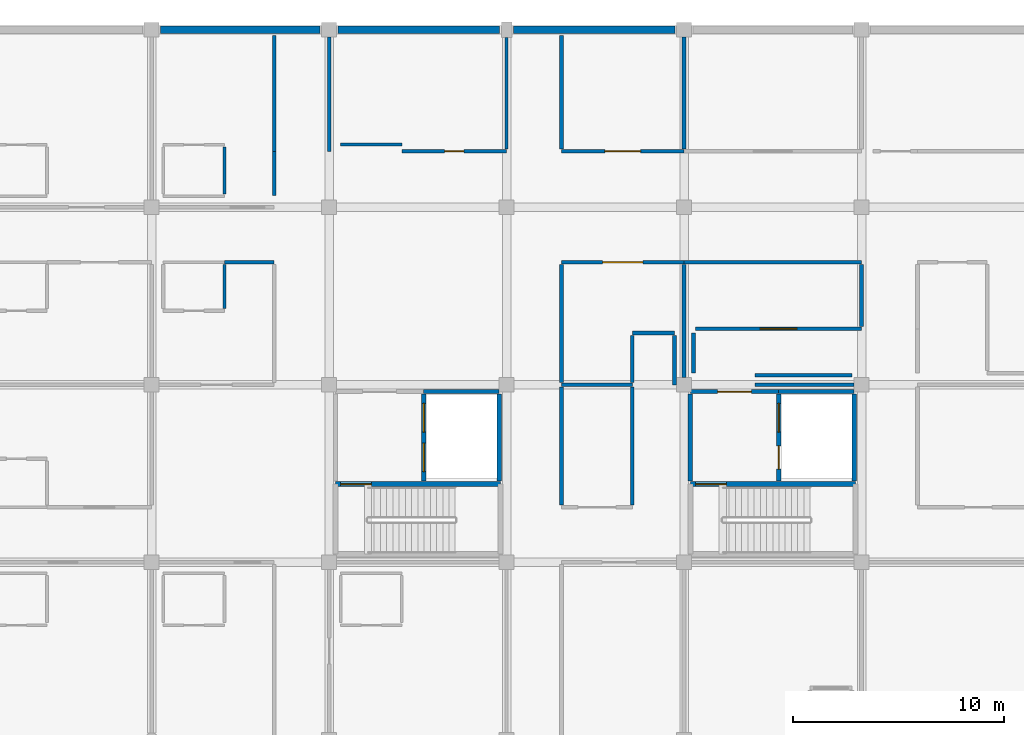
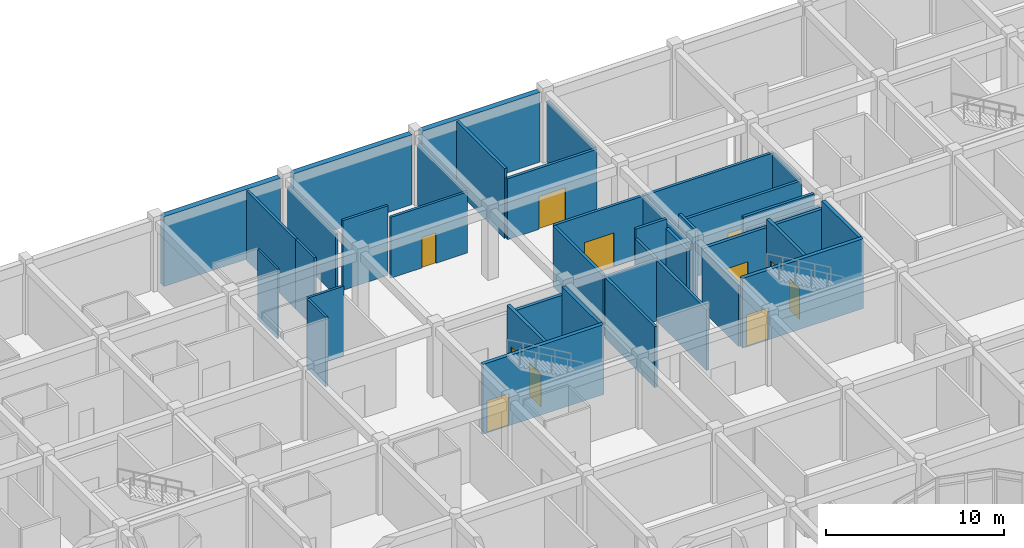
# One storey, part 106 of 134: 40 walls, 11 doors, 11 openings.
"""IFC4 building model written with IfcOpenShell, lengths in metres."""

from ifc_helpers import new_model, si_unit, direction, frame, frame_2d, origin, place, context, subcontext, project, spatial, rectangle, extrude, material, layer, layer_set, type_object, element, fill, save


model = new_model("IFC4")

# Units and contexts
model_context = context("Model", 3, precision=1e-05, world=origin(), true_north=direction((0.0, 1.0)))
body_context = subcontext(model_context, "Body", "Model", "MODEL_VIEW")
ifc_project = project(units=[si_unit("LENGTHUNIT", "METRE"), si_unit("AREAUNIT", "SQUARE_METRE"), si_unit("VOLUMEUNIT", "CUBIC_METRE"), si_unit("PLANEANGLEUNIT", "RADIAN"), si_unit("MASSUNIT", "GRAM", prefix="KILO")], contexts=[model_context])

# Site, building, storey
site_placement = place(None, origin())
site = spatial("IfcSite", under=ifc_project, at=site_placement, CompositionType="ELEMENT")
building_placement = place(site_placement, origin())
building = spatial("IfcBuilding", under=site, at=building_placement, Name="Bramfleet General Hospital", CompositionType="ELEMENT")
storey_placement = place(building_placement, frame((0.0, 0.0, 9.300048828125)))
storey = spatial("IfcBuildingStorey", under=building, at=storey_placement, Name="L02", CompositionType="ELEMENT", Elevation=9.300048828125)

# Walls
ifc_material_1 = material(Name="Concrete C35/45", Category="concrete")
ifc_layer_1 = layer(ifc_material_1, 0.360107421875, Name="WT-EW-02")
ifc_layer_set_1 = layer_set([ifc_layer_1], Name="Concrete C35/45")
wall_type_1 = type_object("IfcWallType", Name="WT-EW-02", PredefinedType="SOLIDWALL", material=ifc_layer_set_1)
wall_1_placement = place(storey_placement, frame((92.824951171875, 117.60009765625, 0.0), z_axis=(0.0, 0.0, 1.0), x_axis=(1.0, 0.0, 0.0)))
element("IfcWall", 1, at=wall_1_placement, inside=storey, type_object=wall_type_1, Name="L02 North REI 90-M Party Wall 208", PredefinedType="SOLIDWALL", context=body_context, shape_type="SweptSolid", body=[
    extrude(rectangle(XDim=7.550048828125, YDim=0.360107421875, at=frame_2d((3.77490234375, 0.0))), origin(), (0.0, 0.0, 1.0), 4.780029296875),
])
wall_2_placement = place(storey_placement, frame((101.22509765625, 117.60009765625, 0.0), z_axis=(0.0, 0.0, 1.0), x_axis=(1.0, 0.0, 0.0)))
element("IfcWall", 2, at=wall_2_placement, inside=storey, type_object=wall_type_1, Name="L02 North REI 90-M Party Wall 209", PredefinedType="SOLIDWALL", context=body_context, shape_type="SweptSolid", body=[
    extrude(rectangle(XDim=7.64990234375, YDim=0.360107421875, at=frame_2d((3.824951171875, 0.0))), origin(), (0.0, 0.0, 1.0), 4.780029296875),
])
wall_3_placement = place(storey_placement, frame((109.52490234375, 117.60009765625, 0.0), z_axis=(0.0, 0.0, 1.0), x_axis=(1.0, 0.0, 0.0)))
element("IfcWall", 3, at=wall_3_placement, inside=storey, type_object=wall_type_1, Name="L02 North REI 90-M Party Wall 210", PredefinedType="SOLIDWALL", context=body_context, shape_type="SweptSolid", body=[
    extrude(rectangle(XDim=7.650146484375, YDim=0.360107421875, at=frame_2d((3.8251953125, 0.0))), origin(), (0.0, 0.0, 1.0), 4.780029296875),
])

# Wall, openings, doors
ifc_layer_2 = layer(ifc_material_1, 0.205078125, Name="WT-IW-02")
ifc_layer_set_2 = layer_set([ifc_layer_2], Name="Concrete C35/45")
wall_type_2 = type_object("IfcWallType", Name="WT-IW-02", PredefinedType="PARTITIONING", material=ifc_layer_set_2)
wall_4_placement = place(storey_placement, frame((105.280029296875, 96.239990234375, 0.0), z_axis=(0.0, 0.0, 1.0), x_axis=(0.0, 1.0, 0.0)))
wall_4 = element("IfcWall", 4, at=wall_4_placement, inside=storey, type_object=wall_type_2, Name="L02 C4 Lobby East Shaft Wall", PredefinedType="PARTITIONING", context=body_context, shape_type="SweptSolid", body=[
    extrude(rectangle(XDim=4.1201171875, YDim=0.205078125, at=frame_2d((2.06005859375, 0.0))), origin(), (0.0, 0.0, 1.0), 4.77001953125),
])
opening_1_placement = place(wall_4_placement, frame((0.445068359375, 0.0, 0.0)))
opening_1 = element("IfcOpeningElement", 5, at=opening_1_placement, cuts=wall_4, Name="Opening LD-FL-02-L02", PredefinedType="OPENING", context=body_context, shape_type="SweptSolid", body=[
    extrude(rectangle(XDim=1.35009765625, YDim=2.199951171875, at=frame_2d((0.675048828125, 1.10009765625))), frame((0.0, 0.112548828125, 0.0), z_axis=(0.0, -1.0, 0.0), x_axis=(1.0, 0.0, 0.0)), (0.0, 0.0, 1.0), 0.22509765625),
])
opening_2_placement = place(wall_4_placement, frame((2.324951171875, 0.0, 0.0)))
opening_2 = element("IfcOpeningElement", 6, at=opening_2_placement, cuts=wall_4, Name="Opening LD-BL-04-L02", PredefinedType="OPENING", context=body_context, shape_type="SweptSolid", body=[
    extrude(rectangle(XDim=1.35009765625, YDim=2.199951171875, at=frame_2d((0.675048828125, 1.10009765625))), frame((0.0, 0.112548828125, 0.0), z_axis=(0.0, -1.0, 0.0), x_axis=(1.0, 0.0, 0.0)), (0.0, 0.0, 1.0), 0.22509765625),
])
ifc_material_2 = material(Name="Brushed stainless steel 1.4301", Category="steel")
door_type_1 = type_object("IfcDoorType", Name="DR-LD-01", OperationType="NOTDEFINED", PredefinedType="DOOR", material=ifc_material_2)
door_1_placement = place(opening_1_placement, origin())
door_1 = element("IfcDoor", 7, at=door_1_placement, inside=storey, type_object=door_type_1, Name="L02 Lift FL-02 Sliding Landing Door", OperationType="SLIDING_TO_LEFT", OverallHeight=2.199951171875, OverallWidth=1.35009765625, PredefinedType="DOOR", context=body_context, shape_type="SweptSolid", body=[
    extrude(rectangle(XDim=1.35009765625, YDim=2.199951171875, at=frame_2d((0.675048828125, 1.10009765625))), frame((0.0, 0.02490234375, 0.0), z_axis=(0.0, -1.0, 0.0), x_axis=(1.0, 0.0, 0.0)), (0.0, 0.0, 1.0), 0.050048828125),
])
fill(opening_1, door_1)
door_2_placement = place(opening_2_placement, origin())
door_2 = element("IfcDoor", 8, at=door_2_placement, inside=storey, type_object=door_type_1, Name="L02 Lift BL-04 Sliding Landing Door", OperationType="SLIDING_TO_LEFT", OverallHeight=2.199951171875, OverallWidth=1.35009765625, PredefinedType="DOOR", context=body_context, shape_type="SweptSolid", body=[
    extrude(rectangle(XDim=1.35009765625, YDim=2.199951171875, at=frame_2d((0.675048828125, 1.10009765625))), frame((0.0, 0.02490234375, 0.0), z_axis=(0.0, -1.0, 0.0), x_axis=(1.0, 0.0, 0.0)), (0.0, 0.0, 1.0), 0.050048828125),
])
fill(opening_2, door_2)

# Walls
wall_5_placement = place(storey_placement, frame((108.85009765625, 96.239990234375, 0.0), z_axis=(0.0, 0.0, 1.0), x_axis=(0.0, 1.0, 0.0)))
element("IfcWall", 9, at=wall_5_placement, inside=storey, type_object=wall_type_2, Name="L02 C4 Lift Shaft East Wall", PredefinedType="PARTITIONING", context=body_context, shape_type="SweptSolid", body=[
    extrude(rectangle(XDim=4.1201171875, YDim=0.205078125, at=frame_2d((2.06005859375, 0.0))), origin(), (0.0, 0.0, 1.0), 4.77001953125),
])
wall_6_placement = place(storey_placement, frame((105.280029296875, 100.47998046875, 0.0), z_axis=(0.0, 0.0, 1.0), x_axis=(1.0, 0.0, 0.0)))
element("IfcWall", 10, at=wall_6_placement, inside=storey, type_object=wall_type_2, Name="L02 C4 Lift Shaft North Wall", PredefinedType="PARTITIONING", context=body_context, shape_type="SweptSolid", body=[
    extrude(rectangle(XDim=3.570068359375, YDim=0.205078125, at=frame_2d((1.78515625, 0.0))), origin(), (0.0, 0.0, 1.0), 4.169921875),
])

# Wall, openings, doors
wall_7_placement = place(storey_placement, frame((122.080078125, 96.239990234375, 0.0), z_axis=(0.0, 0.0, 1.0), x_axis=(0.0, 1.0, 0.0)))
wall_7 = element("IfcWall", 11, at=wall_7_placement, inside=storey, type_object=wall_type_2, Name="L02 C6 Lobby East Shaft Wall", PredefinedType="PARTITIONING", context=body_context, shape_type="SweptSolid", body=[
    extrude(rectangle(XDim=4.1201171875, YDim=0.205078125, at=frame_2d((2.06005859375, 0.0))), origin(), (0.0, 0.0, 1.0), 4.77001953125),
])
opening_3_placement = place(wall_7_placement, frame((0.570068359375, 0.0, 0.0)))
opening_3 = element("IfcOpeningElement", 12, at=opening_3_placement, cuts=wall_7, Name="Opening LD-PL-04-L02", PredefinedType="OPENING", context=body_context, shape_type="SweptSolid", body=[
    extrude(rectangle(XDim=1.10009765625, YDim=2.14990234375, at=frame_2d((0.550048828125, 1.074951171875))), frame((0.0, 0.112548828125, 0.0), z_axis=(0.0, -1.0, 0.0), x_axis=(1.0, 0.0, 0.0)), (0.0, 0.0, 1.0), 0.22509765625),
])
opening_4_placement = place(wall_7_placement, frame((2.324951171875, 0.0, 0.0)))
opening_4 = element("IfcOpeningElement", 13, at=opening_4_placement, cuts=wall_7, Name="Opening LD-GL-02-L02", PredefinedType="OPENING", context=body_context, shape_type="SweptSolid", body=[
    extrude(rectangle(XDim=1.35009765625, YDim=2.199951171875, at=frame_2d((0.675048828125, 1.10009765625))), frame((0.0, 0.112548828125, 0.0), z_axis=(0.0, -1.0, 0.0), x_axis=(1.0, 0.0, 0.0)), (0.0, 0.0, 1.0), 0.22509765625),
])
door_3_placement = place(opening_4_placement, origin())
door_3 = element("IfcDoor", 14, at=door_3_placement, inside=storey, type_object=door_type_1, Name="L02 Lift GL-02 Sliding Landing Door", OperationType="SLIDING_TO_LEFT", OverallHeight=2.199951171875, OverallWidth=1.35009765625, PredefinedType="DOOR", context=body_context, shape_type="SweptSolid", body=[
    extrude(rectangle(XDim=1.35009765625, YDim=2.199951171875, at=frame_2d((0.675048828125, 1.10009765625))), frame((0.0, 0.02490234375, 0.0), z_axis=(0.0, -1.0, 0.0), x_axis=(1.0, 0.0, 0.0)), (0.0, 0.0, 1.0), 0.050048828125),
])
fill(opening_4, door_3)
door_type_2 = type_object("IfcDoorType", Name="DR-LD-02", OperationType="NOTDEFINED", PredefinedType="DOOR", material=ifc_material_2)
door_4_placement = place(opening_3_placement, origin())
door_4 = element("IfcDoor", 15, at=door_4_placement, inside=storey, type_object=door_type_2, Name="L02 Lift PL-04 Sliding Landing Door", OperationType="SLIDING_TO_LEFT", OverallHeight=2.14990234375, OverallWidth=1.10009765625, PredefinedType="DOOR", context=body_context, shape_type="SweptSolid", body=[
    extrude(rectangle(XDim=1.10009765625, YDim=2.14990234375, at=frame_2d((0.550048828125, 1.074951171875))), frame((0.0, 0.02490234375, 0.0), z_axis=(0.0, -1.0, 0.0), x_axis=(1.0, 0.0, 0.0)), (0.0, 0.0, 1.0), 0.050048828125),
])
fill(opening_3, door_4)

# Walls
wall_8_placement = place(storey_placement, frame((125.64990234375, 96.239990234375, 0.0), z_axis=(0.0, 0.0, 1.0), x_axis=(0.0, 1.0, 0.0)))
element("IfcWall", 16, at=wall_8_placement, inside=storey, type_object=wall_type_2, Name="L02 C6 Lift Shaft East Wall", PredefinedType="PARTITIONING", context=body_context, shape_type="SweptSolid", body=[
    extrude(rectangle(XDim=4.1201171875, YDim=0.205078125, at=frame_2d((2.06005859375, 0.0))), origin(), (0.0, 0.0, 1.0), 4.77001953125),
])
wall_9_placement = place(storey_placement, frame((122.080078125, 100.47998046875, 0.0), z_axis=(0.0, 0.0, 1.0), x_axis=(1.0, 0.0, 0.0)))
element("IfcWall", 17, at=wall_9_placement, inside=storey, type_object=wall_type_2, Name="L02 C6 Lift Shaft North Wall", PredefinedType="PARTITIONING", context=body_context, shape_type="SweptSolid", body=[
    extrude(rectangle(XDim=3.56982421875, YDim=0.205078125, at=frame_2d((1.784912109375, 0.0))), origin(), (0.0, 0.0, 1.0), 4.169921875),
])
wall_10_placement = place(storey_placement, frame((117.89990234375, 96.239990234375, 0.0), z_axis=(0.0, 0.0, 1.0), x_axis=(0.0, 1.0, 0.0)))
element("IfcWall", 18, at=wall_10_placement, inside=storey, type_object=wall_type_2, Name="L02 C6 Lobby West Compartment Wall", PredefinedType="PARTITIONING", context=body_context, shape_type="SweptSolid", body=[
    extrude(rectangle(XDim=4.1201171875, YDim=0.205078125, at=frame_2d((2.06005859375, 0.0))), origin(), (0.0, 0.0, 1.0), 4.169921875),
])

# Wall, opening, door
wall_11_placement = place(storey_placement, frame((117.89990234375, 100.47998046875, 0.0), z_axis=(0.0, 0.0, 1.0), x_axis=(1.0, 0.0, 0.0)))
wall_11 = element("IfcWall", 19, at=wall_11_placement, inside=storey, type_object=wall_type_2, Name="L02 C6 Lobby North Compartment Wall", PredefinedType="PARTITIONING", context=body_context, shape_type="SweptSolid", body=[
    extrude(rectangle(XDim=4.18017578125, YDim=0.205078125, at=frame_2d((2.090087890625, 0.0))), origin(), (0.0, 0.0, 1.0), 4.169921875),
])
opening_5_placement = place(wall_11_placement, frame((1.2900390625, 0.0, 0.0)))
opening_5 = element("IfcOpeningElement", 20, at=opening_5_placement, cuts=wall_11, Name="Opening D0080", PredefinedType="OPENING", context=body_context, shape_type="SweptSolid", body=[
    extrude(rectangle(XDim=1.60009765625, YDim=2.25, at=frame_2d((0.800048828125, 1.125))), frame((0.0, 0.112548828125, 0.0), z_axis=(0.0, -1.0, 0.0), x_axis=(1.0, 0.0, 0.0)), (0.0, 0.0, 1.0), 0.22509765625),
])
ifc_material_3 = material(Name="Stainless steel and acoustic timber leaf", Category="steel")
door_type_3 = type_object("IfcDoorType", Name="DR-D-04", OperationType="NOTDEFINED", PredefinedType="DOOR", material=ifc_material_3)
door_5_placement = place(opening_5_placement, origin())
door_5 = element("IfcDoor", 21, at=door_5_placement, inside=storey, type_object=door_type_3, Name="L02 C6 Lobby Fire Door D0080", OperationType="DOUBLE_SWING_LEFT", OverallHeight=2.25, OverallWidth=1.60009765625, PredefinedType="DOOR", context=body_context, shape_type="SweptSolid", body=[
    extrude(rectangle(XDim=1.60009765625, YDim=2.25, at=frame_2d((0.800048828125, 1.125))), frame((0.0, 0.02490234375, 0.0), z_axis=(0.0, -1.0, 0.0), x_axis=(1.0, 0.0, 0.0)), (0.0, 0.0, 1.0), 0.050048828125),
])
fill(opening_5, door_5)

# Walls
ifc_layer_3 = layer(ifc_material_1, 0.179931640625, Name="WT-IW-04")
ifc_layer_set_3 = layer_set([ifc_layer_3], Name="Concrete C35/45")
wall_type_3 = type_object("IfcWallType", Name="WT-IW-04", PredefinedType="PARTITIONING", material=ifc_layer_set_3)
wall_12_placement = place(storey_placement, frame((111.800048828125, 100.800048828125, 0.0), z_axis=(0.0, 0.0, 1.0), x_axis=(1.0, 0.0, 0.0)))
element("IfcWall", 22, at=wall_12_placement, inside=storey, type_object=wall_type_3, Name="L02 Interior Partition IW-L02-2128", PredefinedType="PARTITIONING", context=body_context, shape_type="SweptSolid", body=[
    extrude(rectangle(XDim=3.349853515625, YDim=0.179931640625, at=frame_2d((1.6748046875, 0.0))), origin(), (0.0, 0.0, 1.0), 4.169921875),
])
wall_13_placement = place(storey_placement, frame((120.949951171875, 100.800048828125, 0.0), z_axis=(0.0, 0.0, 1.0), x_axis=(1.0, 0.0, 0.0)))
element("IfcWall", 23, at=wall_13_placement, inside=storey, type_object=wall_type_3, Name="L02 Interior Partition IW-L02-2129", PredefinedType="PARTITIONING", context=body_context, shape_type="SweptSolid", body=[
    extrude(rectangle(XDim=4.705078125, YDim=0.179931640625, at=frame_2d((2.3525390625, 0.0))), origin(), (0.0, 0.0, 1.0), 4.169921875),
])
wall_14_placement = place(storey_placement, frame((120.949951171875, 101.25, 0.0), z_axis=(0.0, 0.0, 1.0), x_axis=(1.0, 0.0, 0.0)))
element("IfcWall", 24, at=wall_14_placement, inside=storey, type_object=wall_type_3, Name="L02 Interior Partition IW-L02-2135", PredefinedType="PARTITIONING", context=body_context, shape_type="SweptSolid", body=[
    extrude(rectangle(XDim=4.60009765625, YDim=0.179931640625, at=frame_2d((2.300048828125, 0.0))), origin(), (0.0, 0.0, 1.0), 4.77001953125),
])
wall_15_placement = place(storey_placement, frame((115.14990234375, 103.25, 0.0), z_axis=(0.0, 0.0, 1.0), x_axis=(1.0, 0.0, 0.0)))
element("IfcWall", 25, at=wall_15_placement, inside=storey, type_object=wall_type_3, Name="L02 Interior Partition IW-L02-2140", PredefinedType="PARTITIONING", context=body_context, shape_type="SweptSolid", body=[
    extrude(rectangle(XDim=2.0, YDim=0.179931640625, at=frame_2d((1.0, 0.0))), origin(), (0.0, 0.0, 1.0), 4.77001953125),
])

# Wall, opening, door
wall_16_placement = place(storey_placement, frame((118.14990234375, 103.449951171875, 0.0), z_axis=(0.0, 0.0, 1.0), x_axis=(1.0, 0.0, 0.0)))
wall_16 = element("IfcWall", 26, at=wall_16_placement, inside=storey, type_object=wall_type_3, Name="L02 Interior Partition IW-L02-2141", PredefinedType="PARTITIONING", context=body_context, shape_type="SweptSolid", body=[
    extrude(rectangle(XDim=7.85009765625, YDim=0.179931640625, at=frame_2d((3.925048828125, 0.0))), origin(), (0.0, 0.0, 1.0), 4.169921875),
])
opening_6_placement = place(wall_16_placement, frame((3.054931640625, 0.0, 0.0)))
opening_6 = element("IfcOpeningElement", 27, at=opening_6_placement, cuts=wall_16, Name="Opening D0979", PredefinedType="OPENING", context=body_context, shape_type="SweptSolid", body=[
    extrude(rectangle(XDim=1.739990234375, YDim=2.239990234375, at=frame_2d((0.8701171875, 1.1201171875))), frame((0.0, 0.099853515625, 0.0), z_axis=(0.0, -1.0, 0.0), x_axis=(1.0, 0.0, 0.0)), (0.0, 0.0, 1.0), 0.199951171875),
])
door_type_4 = type_object("IfcDoorType", Name="DR-D-19", OperationType="NOTDEFINED", PredefinedType="DOOR", material=ifc_material_3)
door_6_placement = place(opening_6_placement, origin())
door_6 = element("IfcDoor", 28, at=door_6_placement, inside=storey, type_object=door_type_4, Name="Interventional Cardiology Cath Lab L02-1412 Door D0979", OperationType="DOUBLE_SWING_RIGHT", OverallHeight=2.239990234375, OverallWidth=1.739990234375, PredefinedType="DOOR", context=body_context, shape_type="SweptSolid", body=[
    extrude(rectangle(XDim=1.739990234375, YDim=2.239990234375, at=frame_2d((0.8701171875, 1.1201171875))), frame((0.0, 0.02490234375, 0.0), z_axis=(0.0, -1.0, 0.0), x_axis=(1.0, 0.0, 0.0)), (0.0, 0.0, 1.0), 0.050048828125),
])
fill(opening_6, door_6)

wall_17_placement = place(storey_placement, frame((111.800048828125, 106.60009765625, 0.0), z_axis=(0.0, 0.0, 1.0), x_axis=(1.0, 0.0, 0.0)))
wall_17 = element("IfcWall", 29, at=wall_17_placement, inside=storey, type_object=wall_type_3, Name="L02 Interior Partition IW-L02-2160", PredefinedType="PARTITIONING", context=body_context, shape_type="SweptSolid", body=[
    extrude(rectangle(XDim=5.800048828125, YDim=0.179931640625, at=frame_2d((2.89990234375, 0.0))), origin(), (0.0, 0.0, 1.0), 4.169921875),
])
opening_7_placement = place(wall_17_placement, frame((1.949951171875, 0.0, 0.0)))
opening_7 = element("IfcOpeningElement", 30, at=opening_7_placement, cuts=wall_17, Name="Opening D0966", PredefinedType="OPENING", context=body_context, shape_type="SweptSolid", body=[
    extrude(rectangle(XDim=1.89990234375, YDim=2.300048828125, at=frame_2d((0.949951171875, 1.14990234375))), frame((0.0, 0.099853515625, 0.0), z_axis=(0.0, -1.0, 0.0), x_axis=(1.0, 0.0, 0.0)), (0.0, 0.0, 1.0), 0.199951171875),
])
door_type_5 = type_object("IfcDoorType", Name="DR-D-06", OperationType="NOTDEFINED", PredefinedType="DOOR", material=ifc_material_3)
door_7_placement = place(opening_7_placement, origin())
door_7 = element("IfcDoor", 31, at=door_7_placement, inside=storey, type_object=door_type_5, Name="Interventional Cardiology Cath Lab L02-1312 Door D0966", OperationType="DOUBLE_SWING_LEFT", OverallHeight=2.300048828125, OverallWidth=1.89990234375, PredefinedType="DOOR", context=body_context, shape_type="SweptSolid", body=[
    extrude(rectangle(XDim=1.89990234375, YDim=2.300048828125, at=frame_2d((0.949951171875, 1.14990234375))), frame((0.0, 0.02490234375, 0.0), z_axis=(0.0, -1.0, 0.0), x_axis=(1.0, 0.0, 0.0)), (0.0, 0.0, 1.0), 0.050048828125),
])
fill(opening_7, door_7)

# Wall
wall_18_placement = place(storey_placement, frame((117.60009765625, 106.60009765625, 0.0), z_axis=(0.0, 0.0, 1.0), x_axis=(1.0, 0.0, 0.0)))
element("IfcWall", 32, at=wall_18_placement, inside=storey, type_object=wall_type_3, Name="L02 Interior Partition IW-L02-2161", PredefinedType="PARTITIONING", context=body_context, shape_type="SweptSolid", body=[
    extrude(rectangle(XDim=8.39990234375, YDim=0.179931640625, at=frame_2d((4.199951171875, 0.0))), origin(), (0.0, 0.0, 1.0), 4.169921875),
])

# Wall, opening, door
wall_19_placement = place(storey_placement, frame((111.800048828125, 111.85009765625, 0.0), z_axis=(0.0, 0.0, 1.0), x_axis=(1.0, 0.0, 0.0)))
wall_19 = element("IfcWall", 33, at=wall_19_placement, inside=storey, type_object=wall_type_3, Name="L02 Interior Partition IW-L02-2189", PredefinedType="PARTITIONING", context=body_context, shape_type="SweptSolid", body=[
    extrude(rectangle(XDim=5.800048828125, YDim=0.179931640625, at=frame_2d((2.89990234375, 0.0))), origin(), (0.0, 0.0, 1.0), 4.169921875),
])
opening_8_placement = place(wall_19_placement, frame((2.050048828125, 0.0, 0.0)))
opening_8 = element("IfcOpeningElement", 34, at=opening_8_placement, cuts=wall_19, Name="Opening D0967", PredefinedType="OPENING", context=body_context, shape_type="SweptSolid", body=[
    extrude(rectangle(XDim=1.699951171875, YDim=2.25, at=frame_2d((0.85009765625, 1.125))), frame((0.0, 0.099853515625, 0.0), z_axis=(0.0, -1.0, 0.0), x_axis=(1.0, 0.0, 0.0)), (0.0, 0.0, 1.0), 0.199951171875),
])
door_type_6 = type_object("IfcDoorType", Name="DR-D-07", OperationType="NOTDEFINED", PredefinedType="DOOR", material=ifc_material_3)
door_8_placement = place(opening_8_placement, origin())
door_8 = element("IfcDoor", 35, at=door_8_placement, inside=storey, type_object=door_type_6, Name="Interventional Cardiology Cath Lab L02-1313 Door D0967", OperationType="DOUBLE_SWING_RIGHT", OverallHeight=2.25, OverallWidth=1.699951171875, PredefinedType="DOOR", context=body_context, shape_type="SweptSolid", body=[
    extrude(rectangle(XDim=1.699951171875, YDim=2.25, at=frame_2d((0.85009765625, 1.125))), frame((0.0, 0.02490234375, 0.0), z_axis=(0.0, -1.0, 0.0), x_axis=(1.0, 0.0, 0.0)), (0.0, 0.0, 1.0), 0.050048828125),
])
fill(opening_8, door_8)

# Walls
for number, where, z_axis, x_axis, name in (
    (36, (111.800048828125, 95.114990234375, 0.0), (0.0, 0.0, 1.0), (0.0, 1.0, 0.0), "L02 Interior Partition IW-L02-2376"),
    (37, (111.800048828125, 100.9150390625, 0.0), (0.0, 0.0, 1.0), (0.0, 1.0, 0.0), "L02 Interior Partition IW-L02-2377"),
):
    element("IfcWall", number, at=place(storey_placement, frame(where, z_axis=z_axis, x_axis=x_axis)), inside=storey, type_object=wall_type_3, Name=name, PredefinedType="PARTITIONING", context=body_context, shape_type="SweptSolid", body=[
        extrude(rectangle(XDim=5.570068359375, YDim=0.179931640625, at=frame_2d((2.78515625, 0.0))), origin(), (0.0, 0.0, 1.0), 4.169921875),
    ])
wall_20_placement = place(storey_placement, frame((111.800048828125, 111.965087890625, 0.0), z_axis=(0.0, 0.0, 1.0), x_axis=(0.0, 1.0, 0.0)))
element("IfcWall", 38, at=wall_20_placement, inside=storey, type_object=wall_type_3, Name="L02 Interior Partition IW-L02-2378", PredefinedType="PARTITIONING", context=body_context, shape_type="SweptSolid", body=[
    extrude(rectangle(XDim=5.35498046875, YDim=0.179931640625, at=frame_2d((2.677490234375, 0.0))), origin(), (0.0, 0.0, 1.0), 4.77001953125),
])
wall_21_placement = place(storey_placement, frame((115.14990234375, 95.114990234375, 0.0), z_axis=(0.0, 0.0, 1.0), x_axis=(0.0, 1.0, 0.0)))
element("IfcWall", 39, at=wall_21_placement, inside=storey, type_object=wall_type_3, Name="L02 Interior Partition IW-L02-2380", PredefinedType="PARTITIONING", context=body_context, shape_type="SweptSolid", body=[
    extrude(rectangle(XDim=5.570068359375, YDim=0.179931640625, at=frame_2d((2.78515625, 0.0))), origin(), (0.0, 0.0, 1.0), 4.169921875),
])
wall_22_placement = place(storey_placement, frame((115.14990234375, 100.9150390625, 0.0), z_axis=(0.0, 0.0, 1.0), x_axis=(0.0, 1.0, 0.0)))
element("IfcWall", 40, at=wall_22_placement, inside=storey, type_object=wall_type_3, Name="L02 Interior Partition IW-L02-2381", PredefinedType="PARTITIONING", context=body_context, shape_type="SweptSolid", body=[
    extrude(rectangle(XDim=2.219970703125, YDim=0.179931640625, at=frame_2d((1.10986328125, 0.0))), origin(), (0.0, 0.0, 1.0), 4.169921875),
])
wall_23_placement = place(storey_placement, frame((117.14990234375, 100.800048828125, 0.0), z_axis=(0.0, 0.0, 1.0), x_axis=(0.0, 1.0, 0.0)))
element("IfcWall", 41, at=wall_23_placement, inside=storey, type_object=wall_type_3, Name="L02 Interior Partition IW-L02-2382", PredefinedType="PARTITIONING", context=body_context, shape_type="SweptSolid", body=[
    extrude(rectangle(XDim=2.3349609375, YDim=0.179931640625, at=frame_2d((1.16748046875, 0.0))), origin(), (0.0, 0.0, 1.0), 4.169921875),
])
wall_24_placement = place(storey_placement, frame((117.60009765625, 101.14501953125, 0.0), z_axis=(0.0, 0.0, 1.0), x_axis=(0.0, 1.0, 0.0)))
element("IfcWall", 42, at=wall_24_placement, inside=storey, type_object=wall_type_3, Name="L02 Interior Partition IW-L02-2393", PredefinedType="PARTITIONING", context=body_context, shape_type="SweptSolid", body=[
    extrude(rectangle(XDim=5.340087890625, YDim=0.179931640625, at=frame_2d((2.669921875, 0.0))), origin(), (0.0, 0.0, 1.0), 4.169921875),
])
wall_25_placement = place(storey_placement, frame((117.60009765625, 111.965087890625, 0.0), z_axis=(0.0, 0.0, 1.0), x_axis=(0.0, 1.0, 0.0)))
element("IfcWall", 43, at=wall_25_placement, inside=storey, type_object=wall_type_3, Name="L02 Interior Partition IW-L02-2394", PredefinedType="PARTITIONING", context=body_context, shape_type="SweptSolid", body=[
    extrude(rectangle(XDim=5.289794921875, YDim=0.179931640625, at=frame_2d((2.64501953125, 0.0))), origin(), (0.0, 0.0, 1.0), 4.169921875),
])
wall_26_placement = place(storey_placement, frame((118.050048828125, 101.364990234375, 0.0), z_axis=(0.0, 0.0, 1.0), x_axis=(0.0, 1.0, 0.0)))
element("IfcWall", 44, at=wall_26_placement, inside=storey, type_object=wall_type_3, Name="L02 Interior Partition IW-L02-2395", PredefinedType="PARTITIONING", context=body_context, shape_type="SweptSolid", body=[
    extrude(rectangle(XDim=1.885009765625, YDim=0.179931640625, at=frame_2d((0.9423828125, 0.0))), origin(), (0.0, 0.0, 1.0), 4.77001953125),
])
wall_27_placement = place(storey_placement, frame((126.0, 103.56494140625, 0.0), z_axis=(0.0, 0.0, 1.0), x_axis=(0.0, 1.0, 0.0)))
element("IfcWall", 45, at=wall_27_placement, inside=storey, type_object=wall_type_3, Name="L02 Interior Partition IW-L02-2407", PredefinedType="PARTITIONING", context=body_context, shape_type="SweptSolid", body=[
    extrude(rectangle(XDim=2.920166015625, YDim=0.179931640625, at=frame_2d((1.4599609375, 0.0))), origin(), (0.0, 0.0, 1.0), 4.169921875),
])
ifc_material_4 = material(Name="Gypsum plasterboard on acoustic steel studs", Category="steel")
ifc_layer_4 = layer(ifc_material_4, 0.159912109375, Name="WT-IW-06")
ifc_layer_set_4 = layer_set([ifc_layer_4], Name="Gypsum plasterboard on acoustic steel studs")
wall_type_4 = type_object("IfcWallType", Name="WT-IW-06", PredefinedType="PARTITIONING", material=ifc_layer_set_4)
wall_28_placement = place(storey_placement, frame((95.85009765625, 106.60009765625, 0.0), z_axis=(0.0, 0.0, 1.0), x_axis=(1.0, 0.0, 0.0)))
element("IfcWall", 46, at=wall_28_placement, inside=storey, type_object=wall_type_4, Name="L02 Interior Partition IW-L02-2159", PredefinedType="PARTITIONING", context=body_context, shape_type="SweptSolid", body=[
    extrude(rectangle(XDim=2.349853515625, YDim=0.159912109375, at=frame_2d((1.1748046875, 0.0))), origin(), (0.0, 0.0, 1.0), 4.77001953125),
])

# Wall, opening, door
wall_29_placement = place(storey_placement, frame((104.25, 111.85009765625, 0.0), z_axis=(0.0, 0.0, 1.0), x_axis=(1.0, 0.0, 0.0)))
wall_29 = element("IfcWall", 47, at=wall_29_placement, inside=storey, type_object=wall_type_4, Name="L02 Interior Partition IW-L02-2188", PredefinedType="PARTITIONING", context=body_context, shape_type="SweptSolid", body=[
    extrude(rectangle(XDim=4.949951171875, YDim=0.159912109375, at=frame_2d((2.47509765625, 0.0))), origin(), (0.0, 0.0, 1.0), 4.169921875),
])
opening_9_placement = place(wall_29_placement, frame((2.014892578125, 0.0, 0.0)))
opening_9 = element("IfcOpeningElement", 48, at=opening_9_placement, cuts=wall_29, Name="Opening D0953", PredefinedType="OPENING", context=body_context, shape_type="SweptSolid", body=[
    extrude(rectangle(XDim=0.919921875, YDim=2.080078125, at=frame_2d((0.4599609375, 1.0400390625))), frame((0.0, 0.08984375, 0.0), z_axis=(0.0, -1.0, 0.0), x_axis=(1.0, 0.0, 0.0)), (0.0, 0.0, 1.0), 0.179931640625),
])
door_type_7 = type_object("IfcDoorType", Name="DR-D-25", OperationType="NOTDEFINED", PredefinedType="DOOR", material=ifc_material_3)
door_9_placement = place(opening_9_placement, origin())
door_9 = element("IfcDoor", 49, at=door_9_placement, inside=storey, type_object=door_type_7, Name="Intensive Care Unit Room L02-1213 Door D0953", OperationType="SINGLE_SWING_RIGHT", OverallHeight=2.080078125, OverallWidth=0.919921875, PredefinedType="DOOR", context=body_context, shape_type="SweptSolid", body=[
    extrude(rectangle(XDim=0.919921875, YDim=2.080078125, at=frame_2d((0.4599609375, 1.0400390625))), frame((0.0, 0.02490234375, 0.0), z_axis=(0.0, -1.0, 0.0), x_axis=(1.0, 0.0, 0.0)), (0.0, 0.0, 1.0), 0.050048828125),
])
fill(opening_9, door_9)

# Walls
wall_30_placement = place(storey_placement, frame((101.35009765625, 112.169921875, 0.0), z_axis=(0.0, 0.0, 1.0), x_axis=(1.0, 0.0, 0.0)))
element("IfcWall", 50, at=wall_30_placement, inside=storey, type_object=wall_type_4, Name="L02 Interior Partition IW-L02-2199", PredefinedType="PARTITIONING", context=body_context, shape_type="SweptSolid", body=[
    extrude(rectangle(XDim=2.89990234375, YDim=0.159912109375, at=frame_2d((1.449951171875, 0.0))), origin(), (0.0, 0.0, 1.0), 4.77001953125),
])
wall_31_placement = place(storey_placement, frame((95.85009765625, 104.4150390625, 0.0), z_axis=(0.0, 0.0, 1.0), x_axis=(0.0, 1.0, 0.0)))
element("IfcWall", 51, at=wall_31_placement, inside=storey, type_object=wall_type_4, Name="L02 Interior Partition IW-L02-2343", PredefinedType="PARTITIONING", context=body_context, shape_type="SweptSolid", body=[
    extrude(rectangle(XDim=2.070068359375, YDim=0.159912109375, at=frame_2d((1.03515625, 0.0))), origin(), (0.0, 0.0, 1.0), 4.77001953125),
])
wall_32_placement = place(storey_placement, frame((98.199951171875, 109.75, 0.0), z_axis=(0.0, 0.0, 1.0), x_axis=(0.0, 1.0, 0.0)))
element("IfcWall", 52, at=wall_32_placement, inside=storey, type_object=wall_type_4, Name="L02 Interior Partition IW-L02-2352", PredefinedType="PARTITIONING", context=body_context, shape_type="SweptSolid", body=[
    extrude(rectangle(XDim=2.10009765625, YDim=0.159912109375, at=frame_2d((1.050048828125, 0.0))), origin(), (0.0, 0.0, 1.0), 4.77001953125),
])
wall_33_placement = place(storey_placement, frame((98.199951171875, 111.85009765625, 0.0), z_axis=(0.0, 0.0, 1.0), x_axis=(0.0, 1.0, 0.0)))
element("IfcWall", 53, at=wall_33_placement, inside=storey, type_object=wall_type_4, Name="L02 Interior Partition IW-L02-2353", PredefinedType="PARTITIONING", context=body_context, shape_type="SweptSolid", body=[
    extrude(rectangle(XDim=5.469970703125, YDim=0.159912109375, at=frame_2d((2.73486328125, 0.0))), origin(), (0.0, 0.0, 1.0), 4.77001953125),
])
wall_34_placement = place(storey_placement, frame((100.800048828125, 111.85009765625, 0.0), z_axis=(0.0, 0.0, 1.0), x_axis=(0.0, 1.0, 0.0)))
element("IfcWall", 54, at=wall_34_placement, inside=storey, type_object=wall_type_4, Name="L02 Interior Partition IW-L02-2358", PredefinedType="PARTITIONING", context=body_context, shape_type="SweptSolid", body=[
    extrude(rectangle(XDim=5.40478515625, YDim=0.159912109375, at=frame_2d((2.702392578125, 0.0))), origin(), (0.0, 0.0, 1.0), 4.169921875),
])
wall_35_placement = place(storey_placement, frame((109.199951171875, 111.965087890625, 0.0), z_axis=(0.0, 0.0, 1.0), x_axis=(0.0, 1.0, 0.0)))
element("IfcWall", 55, at=wall_35_placement, inside=storey, type_object=wall_type_4, Name="L02 Interior Partition IW-L02-2365", PredefinedType="PARTITIONING", context=body_context, shape_type="SweptSolid", body=[
    extrude(rectangle(XDim=5.264892578125, YDim=0.159912109375, at=frame_2d((2.63232421875, 0.0))), origin(), (0.0, 0.0, 1.0), 4.169921875),
])
ifc_layer_5 = layer(ifc_material_4, 0.1201171875, Name="WT-IW-10")
ifc_layer_set_5 = layer_set([ifc_layer_5], Name="Gypsum plasterboard on acoustic steel studs")
wall_type_5 = type_object("IfcWallType", Name="WT-IW-10", PredefinedType="PARTITIONING", material=ifc_layer_set_5)
wall_36_placement = place(storey_placement, frame((95.85009765625, 109.8349609375, 0.0), z_axis=(0.0, 0.0, 1.0), x_axis=(0.0, 1.0, 0.0)))
element("IfcWall", 56, at=wall_36_placement, inside=storey, type_object=wall_type_5, Name="L02 Interior Partition IW-L02-2344", PredefinedType="PARTITIONING", context=body_context, shape_type="SweptSolid", body=[
    extrude(rectangle(XDim=2.219970703125, YDim=0.1201171875, at=frame_2d((1.10986328125, 0.0))), origin(), (0.0, 0.0, 1.0), 4.77001953125),
])

# Wall, opening, door
ifc_material_5 = material(Name="Concrete C40/50", Category="concrete")
ifc_layer_6 = layer(ifc_material_5, 0.239990234375, Name="WT-SW-240")
ifc_layer_set_6 = layer_set([ifc_layer_6], Name="Concrete C40/50")
wall_type_6 = type_object("IfcWallType", Name="WT-SW-240", PredefinedType="SHEAR", material=ifc_layer_set_6)
wall_37_placement = place(storey_placement, frame((101.10009765625, 96.10009765625, 0.0), z_axis=(0.0, 0.0, 1.0), x_axis=(1.0, 0.0, 0.0)))
wall_37 = element("IfcWall", 57, at=wall_37_placement, inside=storey, type_object=wall_type_6, Name="L02 C4 Stair-Lobby Shear Wall", PredefinedType="SHEAR", context=body_context, shape_type="SweptSolid", body=[
    extrude(rectangle(XDim=7.81982421875, YDim=0.239990234375, at=frame_2d((3.909912109375, 0.0))), origin(), (0.0, 0.0, 1.0), 4.780029296875),
])
opening_10_placement = place(wall_37_placement, frame((0.25, 0.0, 0.0)))
opening_10 = element("IfcOpeningElement", 58, at=opening_10_placement, cuts=wall_37, Name="Opening D0043", PredefinedType="OPENING", context=body_context, shape_type="SweptSolid", body=[
    extrude(rectangle(XDim=1.449951171875, YDim=2.199951171875, at=frame_2d((0.72509765625, 1.10009765625))), frame((0.0, 0.1298828125, 0.0), z_axis=(0.0, -1.0, 0.0), x_axis=(1.0, 0.0, 0.0)), (0.0, 0.0, 1.0), 0.260009765625),
])
door_type_8 = type_object("IfcDoorType", Name="DR-D-03", OperationType="NOTDEFINED", PredefinedType="DOOR", material=ifc_material_3)
door_10_placement = place(opening_10_placement, origin())
door_10 = element("IfcDoor", 59, at=door_10_placement, inside=storey, type_object=door_type_8, Name="L02 C4 Escape Stair Fire Door D0043", OperationType="SINGLE_SWING_RIGHT", OverallHeight=2.199951171875, OverallWidth=1.449951171875, PredefinedType="DOOR", context=body_context, shape_type="SweptSolid", body=[
    extrude(rectangle(XDim=1.449951171875, YDim=2.199951171875, at=frame_2d((0.72509765625, 1.10009765625))), frame((0.0, 0.02490234375, 0.0), z_axis=(0.0, -1.0, 0.0), x_axis=(1.0, 0.0, 0.0)), (0.0, 0.0, 1.0), 0.050048828125),
])
fill(opening_10, door_10)

wall_38_placement = place(storey_placement, frame((117.89990234375, 96.10009765625, 0.0), z_axis=(0.0, 0.0, 1.0), x_axis=(1.0, 0.0, 0.0)))
wall_38 = element("IfcWall", 60, at=wall_38_placement, inside=storey, type_object=wall_type_6, Name="L02 C6 Stair-Lobby Shear Wall", PredefinedType="SHEAR", context=body_context, shape_type="SweptSolid", body=[
    extrude(rectangle(XDim=7.820068359375, YDim=0.239990234375, at=frame_2d((3.91015625, 0.0))), origin(), (0.0, 0.0, 1.0), 4.780029296875),
])
opening_11_placement = place(wall_38_placement, frame((0.25, 0.0, 0.0)))
opening_11 = element("IfcOpeningElement", 61, at=opening_11_placement, cuts=wall_38, Name="Opening D0079", PredefinedType="OPENING", context=body_context, shape_type="SweptSolid", body=[
    extrude(rectangle(XDim=1.449951171875, YDim=2.199951171875, at=frame_2d((0.72509765625, 1.10009765625))), frame((0.0, 0.1298828125, 0.0), z_axis=(0.0, -1.0, 0.0), x_axis=(1.0, 0.0, 0.0)), (0.0, 0.0, 1.0), 0.260009765625),
])
door_11_placement = place(opening_11_placement, origin())
door_11 = element("IfcDoor", 62, at=door_11_placement, inside=storey, type_object=door_type_8, Name="L02 C6 Escape Stair Fire Door D0079", OperationType="SINGLE_SWING_RIGHT", OverallHeight=2.199951171875, OverallWidth=1.449951171875, PredefinedType="DOOR", context=body_context, shape_type="SweptSolid", body=[
    extrude(rectangle(XDim=1.449951171875, YDim=2.199951171875, at=frame_2d((0.72509765625, 1.10009765625))), frame((0.0, 0.02490234375, 0.0), z_axis=(0.0, -1.0, 0.0), x_axis=(1.0, 0.0, 0.0)), (0.0, 0.0, 1.0), 0.050048828125),
])
fill(opening_11, door_11)

save(model, "model.ifc")
